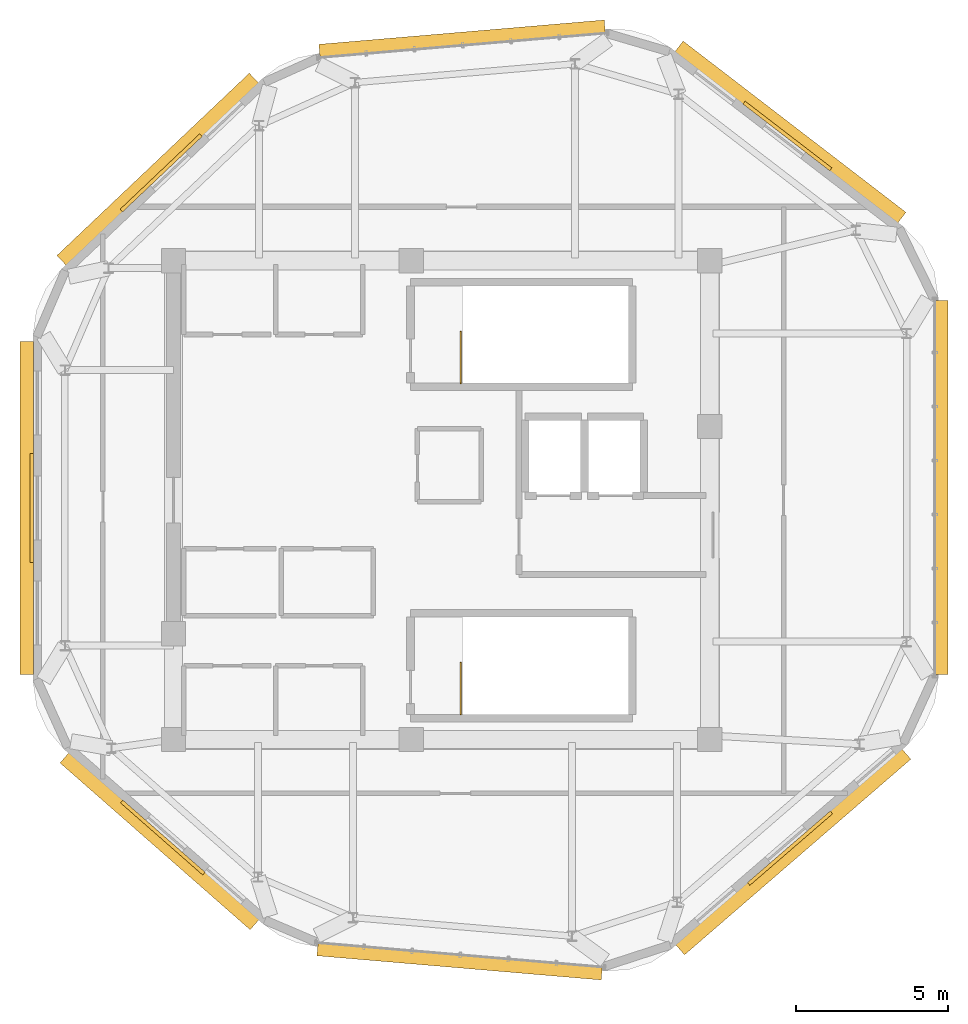
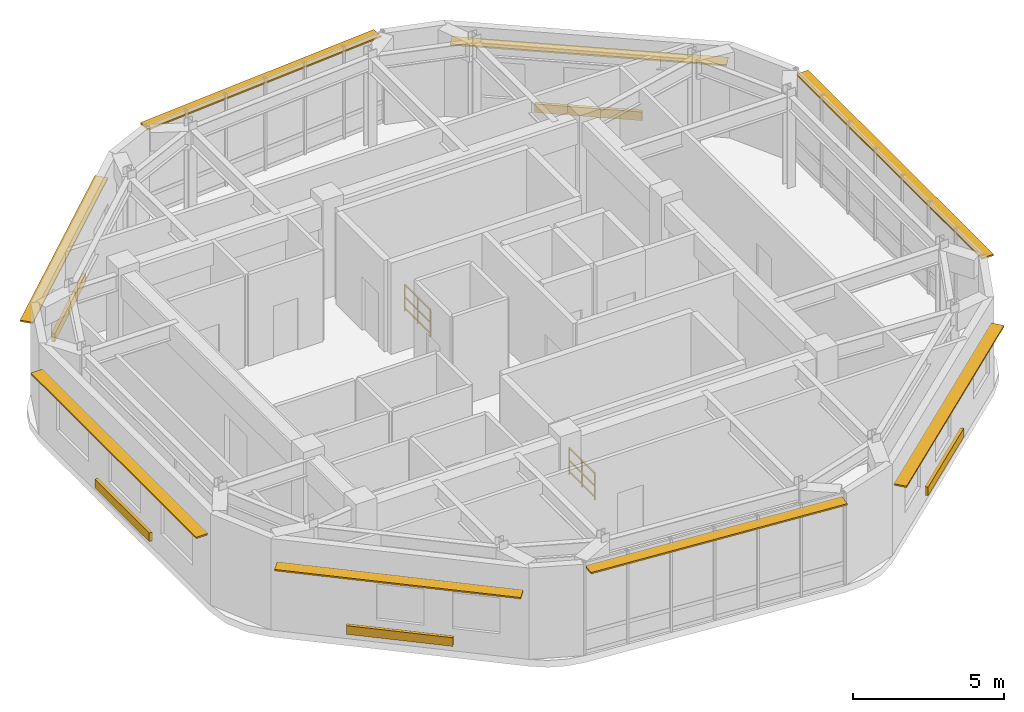
# One storey, part 13 of 13: 13 shading devices, 2 railings.
"""IFC4 building model written with IfcOpenShell, lengths in metres."""

from ifc_helpers import new_model, si_unit, direction, frame, origin, origin_2d, place, context, subcontext, project, spatial, rectangle, extrude, material, layer, layer_set, type_object, element, save


model = new_model("IFC4")

# Units and contexts
model_context = context("Model", 3, precision=1e-05, world=origin(), true_north=direction((0.0, 1.0)))
body_context = subcontext(model_context, "Body", "Model", "MODEL_VIEW")
ifc_project = project(units=[si_unit("LENGTHUNIT", "METRE"), si_unit("AREAUNIT", "SQUARE_METRE"), si_unit("VOLUMEUNIT", "CUBIC_METRE"), si_unit("PLANEANGLEUNIT", "RADIAN"), si_unit("MASSUNIT", "GRAM", prefix="KILO")], contexts=[model_context])

# Site, building, storey
site_placement = place(None, origin())
site = spatial("IfcSite", under=ifc_project, at=site_placement, CompositionType="ELEMENT")
building_placement = place(site_placement, origin())
building = spatial("IfcBuilding", under=site, at=building_placement, Name="Zulverin Broadcast Headquarters", CompositionType="ELEMENT")
storey_placement = place(building_placement, frame((0.0, 0.0, 333.39990234375)))
storey = spatial("IfcBuildingStorey", under=building, at=storey_placement, Name="C6", CompositionType="ELEMENT", Elevation=333.39990234375)

# Railings
ifc_material_1 = material(Name="Painted galvanized steel tubular guardrail S355JR", Category="steel")
railing_type = type_object("IfcRailingType", Name="RL-ST-GUARD", PredefinedType="GUARDRAIL", material=ifc_material_1)
railing_1_placement = place(storey_placement, frame((40.080078125, 29.050048828125, 0.0)))
element("IfcRailing", 1, at=railing_1_placement, inside=storey, type_object=railing_type, Name="C6 ST-1 top well guard 1", PredefinedType="GUARDRAIL", context=body_context, shape_type="SweptSolid", body=[
    extrude(rectangle(XDim=0.048095703125, YDim=0.048095703125, at=origin_2d()), frame((0.0, 0.0, 1.076171875), z_axis=(0.0, 1.0, 0.0), x_axis=(-1.0, 0.0, 0.0)), (0.0, 0.0, 1.0), 1.699951171875),
    extrude(rectangle(XDim=0.0419921875, YDim=0.0419921875, at=origin_2d()), frame((0.0, 0.0, 0.572021484375), z_axis=(0.0, 1.0, 0.0), x_axis=(-1.0, 0.0, 0.0)), (0.0, 0.0, 1.0), 1.699951171875),
    extrude(rectangle(XDim=0.0419921875, YDim=0.0419921875, at=origin_2d()), frame((0.0, 0.0, 0.1201171875), z_axis=(0.0, 1.0, 0.0), x_axis=(-1.0, 0.0, 0.0)), (0.0, 0.0, 1.0), 1.699951171875),
    extrude(rectangle(XDim=0.0419921875, YDim=0.0419921875, at=origin_2d()), origin(), (0.0, 0.0, 1.0), 1.052001953125),
    extrude(rectangle(XDim=0.0419921875, YDim=0.0419921875, at=origin_2d()), frame((0.0, 0.85009765625, 0.0)), (0.0, 0.0, 1.0), 1.052001953125),
    extrude(rectangle(XDim=0.0419921875, YDim=0.0419921875, at=origin_2d()), frame((0.0, 1.699951171875, 0.0)), (0.0, 0.0, 1.0), 1.052001953125),
])
railing_2_placement = place(storey_placement, frame((40.080078125, 18.14990234375, 0.0)))
element("IfcRailing", 2, at=railing_2_placement, inside=storey, type_object=railing_type, Name="C6 ST-2 top well guard 1", PredefinedType="GUARDRAIL", context=body_context, shape_type="SweptSolid", body=[
    extrude(rectangle(XDim=0.048095703125, YDim=0.048095703125, at=origin_2d()), frame((0.0, 0.0, 1.076171875), z_axis=(0.0, 1.0, 0.0), x_axis=(-1.0, 0.0, 0.0)), (0.0, 0.0, 1.0), 1.7001953125),
    extrude(rectangle(XDim=0.0419921875, YDim=0.0419921875, at=origin_2d()), frame((0.0, 0.0, 0.572021484375), z_axis=(0.0, 1.0, 0.0), x_axis=(-1.0, 0.0, 0.0)), (0.0, 0.0, 1.0), 1.7001953125),
    extrude(rectangle(XDim=0.0419921875, YDim=0.0419921875, at=origin_2d()), frame((0.0, 0.0, 0.1201171875), z_axis=(0.0, 1.0, 0.0), x_axis=(-1.0, 0.0, 0.0)), (0.0, 0.0, 1.0), 1.7001953125),
    extrude(rectangle(XDim=0.0419921875, YDim=0.0419921875, at=origin_2d()), origin(), (0.0, 0.0, 1.0), 1.052001953125),
    extrude(rectangle(XDim=0.0419921875, YDim=0.0419921875, at=origin_2d()), frame((0.0, 0.85009765625, 0.0)), (0.0, 0.0, 1.0), 1.052001953125),
    extrude(rectangle(XDim=0.0419921875, YDim=0.0419921875, at=origin_2d()), frame((0.0, 1.7001953125, 0.0)), (0.0, 0.0, 1.0), 1.052001953125),
])

# Shading devices
ifc_material_2 = material(Name="Anodized pale-metal aluminium acoustic louvre", Category="aluminium")
shading_device_type_1 = type_object("IfcShadingDeviceType", Name="SHD-LOUVRE-350", PredefinedType="USERDEFINED", material=ifc_material_2)
for number, where, z_axis, x_axis, name in (
    (3, (50.91357421875, 13.74658203125, 0.2451171875), (0.0, 0.0, 1.0), (0.756488475673, 0.654007023031, 0.0), "C6 Spandrel Intake Louvre 2"),
    (4, (50.827880859375, 37.18359375, 0.2451171875), (0.0, 0.0, 1.0), (-0.792915389698, 0.609331752644, 0.0), "C6 Spandrel Intake Louvre 4"),
    (5, (30.219482421875, 35.969482421875, 0.2451171875), (0.0, 0.0, 1.0), (-0.725871563435, -0.687830264961, 0.0), "C6 Spandrel Intake Louvre 6"),
    (6, (25.9599609375, 24.9423828125, 0.2451171875), (0.0, 0.0, 1.0), (0.0, -1.0, 0.0), "C6 Spandrel Intake Louvre 7"),
    (7, (30.273681640625, 14.096923828125, 0.2451171875), (0.0, 0.0, 1.0), (0.751680978649, -0.659526880679, 0.0), "C6 Spandrel Intake Louvre 8"),
):
    element("IfcShadingDevice", number, at=place(storey_placement, frame(where, z_axis=z_axis, x_axis=x_axis)), inside=storey, type_object=shading_device_type_1, Name=name, ObjectType="LOUVRE", PredefinedType="USERDEFINED", context=body_context, shape_type="SweptSolid", body=[
        extrude(rectangle(XDim=3.60009765625, YDim=0.1201171875, at=origin_2d()), origin(), (0.0, 0.0, 1.0), 0.35009765625),
    ])
ifc_material_3 = material(Name="Anodized pale-metal aluminium sunshade", Category="aluminium")
ifc_layer = layer(ifc_material_3, 0.06005859375, Name="Anodized pale-metal aluminium sunshade", Category="aluminium")
ifc_layer_set = layer_set([ifc_layer], Name="Anodized pale-metal aluminium sunshade")
shading_device_type_2 = type_object("IfcShadingDeviceType", Name="SS-01_PALE_METAL_ALUMINIUM_SUNSHADE", PredefinedType="USERDEFINED", material=ifc_layer_set)
shading_device_1_placement = place(storey_placement, frame((40.04248046875, 10.031982421875, 3.469970703125), z_axis=(0.0, 0.0, 1.0), x_axis=(0.996389439284, -0.084900443359, 0.0)))
element("IfcShadingDevice", 8, at=shading_device_1_placement, inside=storey, type_object=shading_device_type_2, Name="C6 Pale-Metal Horizontal Sunshade Band CW-C6-E1", ObjectType="SUNSHADE", PredefinedType="USERDEFINED", context=body_context, shape_type="SweptSolid", body=[
    extrude(rectangle(XDim=9.3876953125, YDim=0.449951171875, at=origin_2d()), origin(), (0.0, 0.0, 1.0), 0.06005859375),
])
shading_device_2_placement = place(storey_placement, frame((51.018310546875, 13.62548828125, 2.7099609375), z_axis=(0.0, 0.0, 1.0), x_axis=(0.756488475673, 0.654007023031, 0.0)))
element("IfcShadingDevice", 9, at=shading_device_2_placement, inside=storey, type_object=shading_device_type_2, Name="C6 Horizontal Pale-Metal Sunshade Band 2", ObjectType="SUNSHADE", PredefinedType="USERDEFINED", context=body_context, shape_type="SweptSolid", body=[
    extrude(rectangle(XDim=9.84375, YDim=0.449951171875, at=origin_2d()), origin(), (0.0, 0.0, 1.0), 0.06005859375),
])
shading_device_3_placement = place(storey_placement, frame((55.8798828125, 25.614990234375, 3.469970703125), z_axis=(0.0, 0.0, 1.0), x_axis=(0.0, 1.0, 0.0)))
element("IfcShadingDevice", 10, at=shading_device_3_placement, inside=storey, type_object=shading_device_type_2, Name="C6 Pale-Metal Horizontal Sunshade Band CW-C6-E3", ObjectType="SUNSHADE", PredefinedType="USERDEFINED", context=body_context, shape_type="SweptSolid", body=[
    extrude(rectangle(XDim=12.2978515625, YDim=0.449951171875, at=origin_2d()), origin(), (0.0, 0.0, 1.0), 0.06005859375),
])
shading_device_4_placement = place(storey_placement, frame((50.92529296875, 37.310302734375, 2.7099609375), z_axis=(0.0, 0.0, 1.0), x_axis=(-0.792915389698, 0.609331752644, 0.0)))
element("IfcShadingDevice", 11, at=shading_device_4_placement, inside=storey, type_object=shading_device_type_2, Name="C6 Horizontal Pale-Metal Sunshade Band 4", ObjectType="SUNSHADE", PredefinedType="USERDEFINED", context=body_context, shape_type="SweptSolid", body=[
    extrude(rectangle(XDim=9.246826171875, YDim=0.449951171875, at=origin_2d()), origin(), (0.0, 0.0, 1.0), 0.06005859375),
])
shading_device_5_placement = place(storey_placement, frame((40.12451171875, 40.375, 3.469970703125), z_axis=(0.0, 0.0, 1.0), x_axis=(-0.996389439284, -0.084900443359, 0.0)))
element("IfcShadingDevice", 12, at=shading_device_5_placement, inside=storey, type_object=shading_device_type_2, Name="C6 Pale-Metal Horizontal Sunshade Band CW-C6-E5", ObjectType="SUNSHADE", PredefinedType="USERDEFINED", context=body_context, shape_type="SweptSolid", body=[
    extrude(rectangle(XDim=9.42431640625, YDim=0.449951171875, at=origin_2d()), origin(), (0.0, 0.0, 1.0), 0.06005859375),
])
shading_device_6_placement = place(storey_placement, frame((30.109619140625, 36.085693359375, 2.7099609375), z_axis=(0.0, 0.0, 1.0), x_axis=(-0.725871563435, -0.687830264961, 0.0)))
element("IfcShadingDevice", 13, at=shading_device_6_placement, inside=storey, type_object=shading_device_type_2, Name="C6 Horizontal Pale-Metal Sunshade Band 6", ObjectType="SUNSHADE", PredefinedType="USERDEFINED", context=body_context, shape_type="SweptSolid", body=[
    extrude(rectangle(XDim=8.7216796875, YDim=0.449951171875, at=origin_2d()), origin(), (0.0, 0.0, 1.0), 0.06005859375),
])
shading_device_7_placement = place(storey_placement, frame((25.800048828125, 24.9423828125, 2.7099609375), z_axis=(0.0, 0.0, 1.0), x_axis=(0.0, -1.0, 0.0)))
element("IfcShadingDevice", 14, at=shading_device_7_placement, inside=storey, type_object=shading_device_type_2, Name="C6 Horizontal Pale-Metal Sunshade Band 7", ObjectType="SUNSHADE", PredefinedType="USERDEFINED", context=body_context, shape_type="SweptSolid", body=[
    extrude(rectangle(XDim=10.967041015625, YDim=0.449951171875, at=origin_2d()), origin(), (0.0, 0.0, 1.0), 0.06005859375),
])
shading_device_8_placement = place(storey_placement, frame((30.168212890625, 13.976806640625, 2.7099609375), z_axis=(0.0, 0.0, 1.0), x_axis=(0.751680978649, -0.659526880679, 0.0)))
element("IfcShadingDevice", 15, at=shading_device_8_placement, inside=storey, type_object=shading_device_type_2, Name="C6 Horizontal Pale-Metal Sunshade Band 8", ObjectType="SUNSHADE", PredefinedType="USERDEFINED", context=body_context, shape_type="SweptSolid", body=[
    extrude(rectangle(XDim=8.323486328125, YDim=0.449951171875, at=origin_2d()), origin(), (0.0, 0.0, 1.0), 0.06005859375),
])

save(model, "model.ifc")
